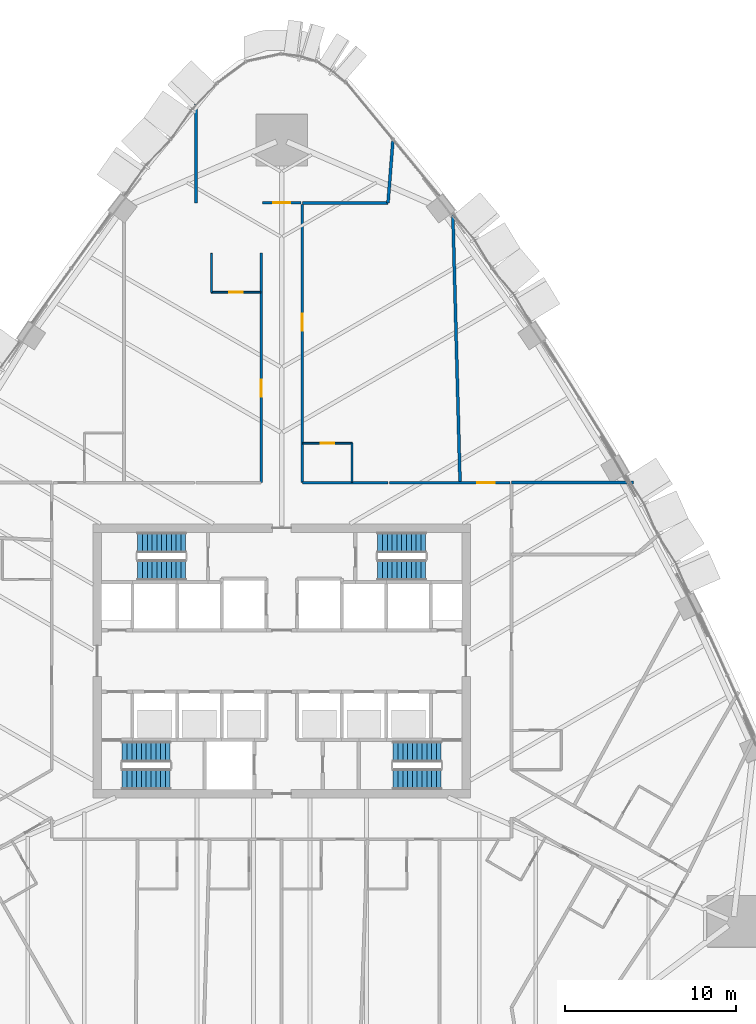
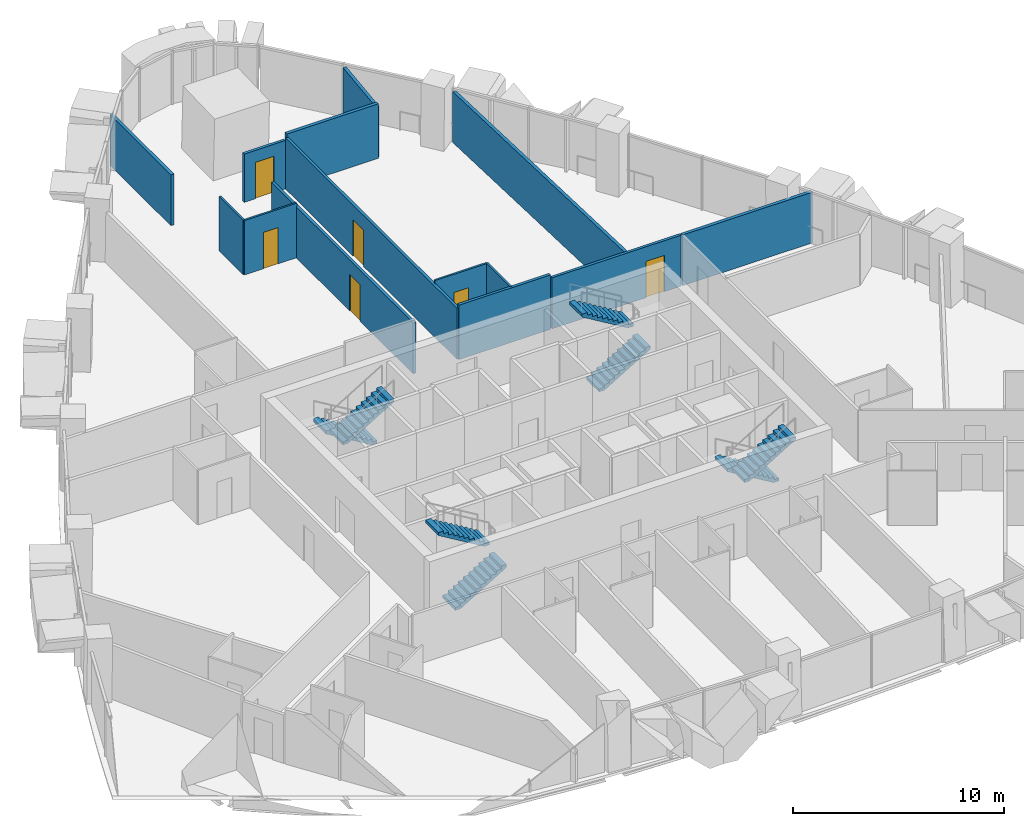
# One storey, part 15 of 19: 14 walls, 8 stair flights, 6 doors, 6 openings, 4 elements without a shape of their own.
"""IFC4 building model written with IfcOpenShell, lengths in metres."""

from ifc_helpers import new_model, si_unit, direction, frame, frame_2d, origin, place, context, subcontext, project, spatial, polyline, rectangle, outline, extrude, material, layer, layer_set, type_object, element, fill, aggregate, save


model = new_model("IFC4")

# Units and contexts
model_context = context("Model", 3, precision=1e-05, world=origin(), true_north=direction((0.0, 1.0)))
body_context = subcontext(model_context, "Body", "Model", "MODEL_VIEW")
ifc_project = project(units=[si_unit("LENGTHUNIT", "METRE"), si_unit("AREAUNIT", "SQUARE_METRE"), si_unit("VOLUMEUNIT", "CUBIC_METRE"), si_unit("PLANEANGLEUNIT", "RADIAN"), si_unit("MASSUNIT", "GRAM", prefix="KILO")], contexts=[model_context])

# Site, building, storey
site_placement = place(None, origin())
site = spatial("IfcSite", under=ifc_project, at=site_placement, CompositionType="ELEMENT")
building_placement = place(site_placement, origin())
building = spatial("IfcBuilding", under=site, at=building_placement, Name="Sierra Prisma Convention Tower", CompositionType="ELEMENT")
storey_placement = place(building_placement, frame((0.0, 0.0, 77.60009765625)))
storey = spatial("IfcBuildingStorey", under=building, at=storey_placement, Name="L15", CompositionType="ELEMENT", Elevation=77.60009765625)

# Wall, opening, door
ifc_material_1 = material(Name="Gypsum board partition", Category="gypsum")
ifc_layer_1 = layer(ifc_material_1, 0.10009765625)
ifc_layer_set_1 = layer_set([ifc_layer_1], Name="Bathroom partition 100")
wall_type_1 = type_object("IfcWallType", Name="Bathroom partition 100", PredefinedType="PARTITIONING", material=ifc_layer_set_1)
wall_1_placement = place(storey_placement, frame((-1.22998046875, 21.5, 0.0), z_axis=(0.0, 0.0, 1.0), x_axis=(-1.0, 0.0, 0.0)))
wall_1 = element("IfcWall", 1, at=wall_1_placement, inside=storey, type_object=wall_type_1, Name="Partition L15 bath 15", PredefinedType="PARTITIONING", context=body_context, shape_type="SweptSolid", body=[
    extrude(rectangle(XDim=2.8701171875, YDim=0.10009765625, at=frame_2d((1.43505859375, 0.0))), origin(), (0.0, 0.0, 1.0), 3.14990234375),
])
opening_1_placement = place(wall_1_placement, frame((1.034912109375, 0.0, 0.0)))
opening_1 = element("IfcOpeningElement", 2, at=opening_1_placement, cuts=wall_1, Name="Opening L15-D003", PredefinedType="OPENING", context=body_context, shape_type="SweptSolid", body=[
    extrude(rectangle(XDim=0.800048828125, YDim=2.10009765625, at=frame_2d((0.39990234375, 1.050048828125))), frame((0.0, 0.050048828125, 0.0), z_axis=(0.0, -1.0, 0.0), x_axis=(1.0, 0.0, 0.0)), (0.0, 0.0, 1.0), 0.10009765625),
])
ifc_material_2 = material(Name="Solid core timber door leaf", Category="wood")
door_type_1 = type_object("IfcDoorType", Name="Door 800x2100 plain", OperationType="SINGLE_SWING_LEFT", PredefinedType="DOOR", material=ifc_material_2)
door_1_placement = place(opening_1_placement, origin())
door_1 = element("IfcDoor", 3, at=door_1_placement, inside=storey, type_object=door_type_1, Name="Door L15 9", OperationType="SINGLE_SWING_LEFT", OverallHeight=2.10009765625, OverallWidth=0.800048828125, PredefinedType="DOOR", context=body_context, shape_type="SweptSolid", body=[
    extrude(rectangle(XDim=0.800048828125, YDim=2.10009765625, at=frame_2d((0.39990234375, 1.050048828125))), frame((0.0, 0.02490234375, 0.0), z_axis=(0.0, -1.0, 0.0), x_axis=(1.0, 0.0, 0.0)), (0.0, 0.0, 1.0), 0.050048828125),
])
fill(opening_1, door_1)

# Wall
wall_2_placement = place(storey_placement, frame((-4.10009765625, 21.5, 0.0), z_axis=(0.0, 0.0, 1.0), x_axis=(0.0, 1.0, 0.0)))
element("IfcWall", 4, at=wall_2_placement, inside=storey, type_object=wall_type_1, Name="Partition L15 bath 16", PredefinedType="PARTITIONING", context=body_context, shape_type="SweptSolid", body=[
    extrude(rectangle(XDim=2.27001953125, YDim=0.10009765625, at=frame_2d((1.135009765625, 0.0))), origin(), (0.0, 0.0, 1.0), 3.14990234375),
])

# Wall, opening, door
wall_3_placement = place(storey_placement, frame((1.22998046875, 12.699951171875, 0.0), z_axis=(0.0, 0.0, 1.0), x_axis=(1.0, 0.0, 0.0)))
wall_3 = element("IfcWall", 5, at=wall_3_placement, inside=storey, type_object=wall_type_1, Name="Partition L15 bath 19", PredefinedType="PARTITIONING", context=body_context, shape_type="SweptSolid", body=[
    extrude(rectangle(XDim=2.8701171875, YDim=0.10009765625, at=frame_2d((1.43505859375, 0.0))), origin(), (0.0, 0.0, 1.0), 3.14990234375),
])
opening_2_placement = place(wall_3_placement, frame((1.034912109375, 0.0, 0.0)))
opening_2 = element("IfcOpeningElement", 6, at=opening_2_placement, cuts=wall_3, Name="Opening L15-D002", PredefinedType="OPENING", context=body_context, shape_type="SweptSolid", body=[
    extrude(rectangle(XDim=0.800048828125, YDim=2.10009765625, at=frame_2d((0.39990234375, 1.050048828125))), frame((0.0, 0.050048828125, 0.0), z_axis=(0.0, -1.0, 0.0), x_axis=(1.0, 0.0, 0.0)), (0.0, 0.0, 1.0), 0.10009765625),
])
door_2_placement = place(opening_2_placement, origin())
door_2 = element("IfcDoor", 7, at=door_2_placement, inside=storey, type_object=door_type_1, Name="Door L15 6", OperationType="SINGLE_SWING_LEFT", OverallHeight=2.10009765625, OverallWidth=0.800048828125, PredefinedType="DOOR", context=body_context, shape_type="SweptSolid", body=[
    extrude(rectangle(XDim=0.800048828125, YDim=2.10009765625, at=frame_2d((0.39990234375, 1.050048828125))), frame((0.0, 0.02490234375, 0.0), z_axis=(0.0, -1.0, 0.0), x_axis=(1.0, 0.0, 0.0)), (0.0, 0.0, 1.0), 0.050048828125),
])
fill(opening_2, door_2)

# Wall
wall_4_placement = place(storey_placement, frame((4.10009765625, 12.699951171875, 0.0), z_axis=(0.0, 0.0, 1.0), x_axis=(0.0, -1.0, 0.0)))
element("IfcWall", 8, at=wall_4_placement, inside=storey, type_object=wall_type_1, Name="Partition L15 bath 20", PredefinedType="PARTITIONING", context=body_context, shape_type="SweptSolid", body=[
    extrude(rectangle(XDim=2.27001953125, YDim=0.10009765625, at=frame_2d((1.135009765625, 0.0))), origin(), (0.0, 0.0, 1.0), 3.14990234375),
])

# Wall, opening, door
ifc_material_3 = material(Name="Gypsum board partition", Category="gypsum")
ifc_layer_2 = layer(ifc_material_3, 0.14990234375)
ifc_layer_set_2 = layer_set([ifc_layer_2], Name="Corridor wall 150 gypsum EI 60")
wall_type_2 = type_object("IfcWallType", Name="Corridor wall 150 gypsum EI 60", PredefinedType="PARTITIONING", material=ifc_layer_set_2)
wall_5_placement = place(storey_placement, frame((-1.199951171875, 23.800048828125, 0.0), z_axis=(0.0, 0.0, 1.0), x_axis=(0.0, -1.0, 0.0)))
wall_5 = element("IfcWall", 9, at=wall_5_placement, inside=storey, type_object=wall_type_2, Name="Partition L15 corr 8", PredefinedType="PARTITIONING", context=body_context, shape_type="SweptSolid", body=[
    extrude(rectangle(XDim=13.400146484375, YDim=0.14990234375, at=frame_2d((6.7001953125, 0.0))), origin(), (0.0, 0.0, 1.0), 2.947021484375),
])
opening_3_placement = place(wall_5_placement, frame((7.39990234375, 0.0, 0.0)))
opening_3 = element("IfcOpeningElement", 10, at=opening_3_placement, cuts=wall_5, Name="Opening L15-D041", PredefinedType="OPENING", context=body_context, shape_type="SweptSolid", body=[
    extrude(rectangle(XDim=1.0, YDim=2.10009765625, at=frame_2d((0.5, 1.050048828125))), frame((0.0, 0.074951171875, 0.0), z_axis=(0.0, -1.0, 0.0), x_axis=(1.0, 0.0, 0.0)), (0.0, 0.0, 1.0), 0.14990234375),
])
ifc_material_4 = material(Name="Steel fire door leaf", Category="steel")
door_type_2 = type_object("IfcDoorType", Name="Door 1000x2100 FD30S", OperationType="SINGLE_SWING_LEFT", PredefinedType="DOOR", material=ifc_material_4)
door_3_placement = place(opening_3_placement, origin())
door_3 = element("IfcDoor", 11, at=door_3_placement, inside=storey, type_object=door_type_2, Name="Door L15 8", OperationType="SINGLE_SWING_LEFT", OverallHeight=2.10009765625, OverallWidth=1.0, PredefinedType="DOOR", context=body_context, shape_type="SweptSolid", body=[
    extrude(rectangle(XDim=1.0, YDim=2.10009765625, at=frame_2d((0.5, 1.050048828125))), frame((0.0, 0.02490234375, 0.0), z_axis=(0.0, -1.0, 0.0), x_axis=(1.0, 0.0, 0.0)), (0.0, 0.0, 1.0), 0.050048828125),
])
fill(opening_3, door_3)

wall_6_placement = place(storey_placement, frame((1.1201171875, 26.7109375, 0.0), z_axis=(0.0, 0.0, 1.0), x_axis=(-1.0, 0.0, 0.0)))
wall_6 = element("IfcWall", 12, at=wall_6_placement, inside=storey, type_object=wall_type_2, Name="Partition L15 corr 10", PredefinedType="PARTITIONING", context=body_context, shape_type="SweptSolid", body=[
    extrude(rectangle(XDim=2.240234375, YDim=0.14990234375, at=frame_2d((1.1201171875, 0.0))), origin(), (0.0, 0.0, 1.0), 2.796875),
])
opening_4_placement = place(wall_6_placement, frame((0.6201171875, 0.0, 0.0)))
opening_4 = element("IfcOpeningElement", 13, at=opening_4_placement, cuts=wall_6, Name="Opening L15-D040", PredefinedType="OPENING", context=body_context, shape_type="SweptSolid", body=[
    extrude(rectangle(XDim=1.0, YDim=2.10009765625, at=frame_2d((0.5, 1.050048828125))), frame((0.0, 0.074951171875, 0.0), z_axis=(0.0, -1.0, 0.0), x_axis=(1.0, 0.0, 0.0)), (0.0, 0.0, 1.0), 0.14990234375),
])
door_4_placement = place(opening_4_placement, origin())
door_4 = element("IfcDoor", 14, at=door_4_placement, inside=storey, type_object=door_type_2, Name="Door L15 7", OperationType="SINGLE_SWING_LEFT", OverallHeight=2.10009765625, OverallWidth=1.0, PredefinedType="DOOR", context=body_context, shape_type="SweptSolid", body=[
    extrude(rectangle(XDim=1.0, YDim=2.10009765625, at=frame_2d((0.5, 1.050048828125))), frame((0.0, 0.02490234375, 0.0), z_axis=(0.0, -1.0, 0.0), x_axis=(1.0, 0.0, 0.0)), (0.0, 0.0, 1.0), 0.050048828125),
])
fill(opening_4, door_4)

# Wall
wall_7_placement = place(storey_placement, frame((6.199951171875, 10.39990234375, 0.0), z_axis=(0.0, 0.0, 1.0), x_axis=(-1.0, 0.0, 0.0)))
element("IfcWall", 15, at=wall_7_placement, inside=storey, type_object=wall_type_2, Name="Partition L15 corr 11", PredefinedType="PARTITIONING", context=body_context, shape_type="SweptSolid", body=[
    extrude(rectangle(XDim=5.0, YDim=0.14990234375, at=frame_2d((2.5, 0.0))), origin(), (0.0, 0.0, 1.0), 3.14990234375),
])

# Wall, opening, door
wall_8_placement = place(storey_placement, frame((1.199951171875, 10.39990234375, 0.0), z_axis=(0.0, 0.0, 1.0), x_axis=(0.0, 1.0, 0.0)))
wall_8 = element("IfcWall", 16, at=wall_8_placement, inside=storey, type_object=wall_type_2, Name="Partition L15 corr 12", PredefinedType="PARTITIONING", context=body_context, shape_type="SweptSolid", body=[
    extrude(rectangle(XDim=16.23095703125, YDim=0.14990234375, at=frame_2d((8.115478515625, 0.0))), origin(), (0.0, 0.0, 1.0), 2.947021484375),
])
opening_5_placement = place(wall_8_placement, frame((8.85546875, 0.0, 0.0)))
opening_5 = element("IfcOpeningElement", 17, at=opening_5_placement, cuts=wall_8, Name="Opening L15-D039", PredefinedType="OPENING", context=body_context, shape_type="SweptSolid", body=[
    extrude(rectangle(XDim=1.0, YDim=2.10009765625, at=frame_2d((0.5, 1.050048828125))), frame((0.0, 0.074951171875, 0.0), z_axis=(0.0, -1.0, 0.0), x_axis=(1.0, 0.0, 0.0)), (0.0, 0.0, 1.0), 0.14990234375),
])
door_5_placement = place(opening_5_placement, origin())
door_5 = element("IfcDoor", 18, at=door_5_placement, inside=storey, type_object=door_type_2, Name="Door L15 5", OperationType="SINGLE_SWING_LEFT", OverallHeight=2.10009765625, OverallWidth=1.0, PredefinedType="DOOR", context=body_context, shape_type="SweptSolid", body=[
    extrude(rectangle(XDim=1.0, YDim=2.10009765625, at=frame_2d((0.5, 1.050048828125))), frame((0.0, 0.02490234375, 0.0), z_axis=(0.0, -1.0, 0.0), x_axis=(1.0, 0.0, 0.0)), (0.0, 0.0, 1.0), 0.050048828125),
])
fill(opening_5, door_5)

wall_9_placement = place(storey_placement, frame((13.320068359375, 10.39990234375, 0.0), z_axis=(0.0, 0.0, 1.0), x_axis=(-1.0, 0.0, 0.0)))
wall_9 = element("IfcWall", 19, at=wall_9_placement, inside=storey, type_object=wall_type_2, Name="Partition L15 corr 13", PredefinedType="PARTITIONING", context=body_context, shape_type="SweptSolid", body=[
    extrude(rectangle(XDim=7.0400390625, YDim=0.14990234375, at=frame_2d((3.52001953125, 0.0))), origin(), (0.0, 0.0, 1.0), 2.947021484375),
])
opening_6_placement = place(wall_9_placement, frame((0.909912109375, 0.0, 0.0)))
opening_6 = element("IfcOpeningElement", 20, at=opening_6_placement, cuts=wall_9, Name="Opening L15-D038", PredefinedType="OPENING", context=body_context, shape_type="SweptSolid", body=[
    extrude(rectangle(XDim=1.0, YDim=2.10009765625, at=frame_2d((0.5, 1.050048828125))), frame((0.0, 0.074951171875, 0.0), z_axis=(0.0, -1.0, 0.0), x_axis=(1.0, 0.0, 0.0)), (0.0, 0.0, 1.0), 0.14990234375),
])
door_6_placement = place(opening_6_placement, origin())
door_6 = element("IfcDoor", 21, at=door_6_placement, inside=storey, type_object=door_type_2, Name="Door L15 4", OperationType="SINGLE_SWING_LEFT", OverallHeight=2.10009765625, OverallWidth=1.0, PredefinedType="DOOR", context=body_context, shape_type="SweptSolid", body=[
    extrude(rectangle(XDim=1.0, YDim=2.10009765625, at=frame_2d((0.5, 1.050048828125))), frame((0.0, 0.02490234375, 0.0), z_axis=(0.0, -1.0, 0.0), x_axis=(1.0, 0.0, 0.0)), (0.0, 0.0, 1.0), 0.050048828125),
])
fill(opening_6, door_6)

# Walls
ifc_material_5 = material(Name="Acoustic gypsum board partition", Category="gypsum")
ifc_layer_3 = layer(ifc_material_5, 0.175048828125)
ifc_layer_set_3 = layer_set([ifc_layer_3], Name="Guest room party wall 175 acoustic EI 60")
wall_type_3 = type_object("IfcWallType", Name="Guest room party wall 175 acoustic EI 60", PredefinedType="PARTITIONING", material=ifc_layer_set_3)
wall_10_placement = place(storey_placement, frame((-5.0, 32.48828125, 0.0), z_axis=(0.0, 0.0, 1.0), x_axis=(0.0, -1.0, 0.0)))
element("IfcWall", 22, at=wall_10_placement, inside=storey, type_object=wall_type_3, Name="Partition L15 hparty 10", PredefinedType="PARTITIONING", context=body_context, shape_type="SweptSolid", body=[
    extrude(rectangle(XDim=5.77734375, YDim=0.175048828125, at=frame_2d((2.888671875, 0.0))), origin(), (0.0, 0.0, 1.0), 2.933837890625),
])
wall_11_placement = place(storey_placement, frame((1.199951171875, 26.7109375, 0.0), z_axis=(0.0, 0.0, 1.0), x_axis=(1.0, 0.0, 0.0)))
element("IfcWall", 23, at=wall_11_placement, inside=storey, type_object=wall_type_3, Name="Partition L15 hparty 13", PredefinedType="PARTITIONING", context=body_context, shape_type="SweptSolid", body=[
    extrude(rectangle(XDim=5.0, YDim=0.175048828125, at=frame_2d((2.5, 0.0))), origin(), (0.0, 0.0, 1.0), 3.14990234375),
])
wall_12_placement = place(storey_placement, frame((6.199951171875, 26.7109375, 0.0), z_axis=(0.0, 0.0, 1.0), x_axis=(0.078241280628, 0.996934452211, 0.0)))
element("IfcWall", 24, at=wall_12_placement, inside=storey, type_object=wall_type_3, Name="Partition L15 hparty 14", PredefinedType="PARTITIONING", context=body_context, shape_type="SweptSolid", body=[
    extrude(rectangle(XDim=3.61328125, YDim=0.175048828125, at=frame_2d((1.806640625, 0.0))), origin(), (0.0, 0.0, 1.0), 2.933837890625),
])
wall_13_placement = place(storey_placement, frame((9.982421875, 25.99560546875, 0.0), z_axis=(0.0, 0.0, 1.0), x_axis=(0.026759355923, -0.999641904319, 0.0)))
element("IfcWall", 25, at=wall_13_placement, inside=storey, type_object=wall_type_3, Name="Partition L15 hparty 17", PredefinedType="PARTITIONING", context=body_context, shape_type="SweptSolid", body=[
    extrude(rectangle(XDim=15.601318359375, YDim=0.175048828125, at=frame_2d((7.80078125, 0.0))), origin(), (0.0, 0.0, 1.0), 2.933837890625),
])
wall_14_placement = place(storey_placement, frame((13.39990234375, 10.39990234375, 0.0), z_axis=(0.0, 0.0, 1.0), x_axis=(1.0, 0.0, 0.0)))
element("IfcWall", 26, at=wall_14_placement, inside=storey, type_object=wall_type_3, Name="Partition L15 hparty 22", PredefinedType="PARTITIONING", context=body_context, shape_type="SweptSolid", body=[
    extrude(rectangle(XDim=7.107177734375, YDim=0.175048828125, at=frame_2d((3.5537109375, 0.0))), origin(), (0.0, 0.0, 1.0), 2.933837890625),
])

# Stair, stair flights
ifc_material_6 = material(Name="Concrete C30/37", Category="concrete")
stair_type = type_object("IfcStairType", Name="Stair dog-leg 1200 RC", PredefinedType="HALF_TURN_STAIR", material=ifc_material_6)
stair_1_placement = place(storey_placement, origin())
stair_1 = element("IfcStair", 27, at=stair_1_placement, inside=storey, type_object=stair_type, Name="L15 S1", PredefinedType="HALF_TURN_STAIR")
ifc_material_7 = material(Name="Concrete C30/37", Category="concrete")
stair_flight_type = type_object("IfcStairFlightType", Name="Stair flight RC 1200", PredefinedType="STRAIGHT", material=ifc_material_7)
stair_flight_1_placement = place(storey_placement, frame((-9.300048828125, -6.89990234375, 0.0), z_axis=(0.0, 0.0, 1.0), x_axis=(1.0, 0.0, 0.0)))
stair_flight_1 = element("IfcStairFlight", 28, at=stair_flight_1_placement, type_object=stair_flight_type, Name="S1 flight 1", NumberOfRisers=11, NumberOfTreads=10, PredefinedType="STRAIGHT", RiserHeight=0.168181818, TreadLength=0.28, context=body_context, shape_type="SweptSolid", body=[
    extrude(outline(polyline([(0.0, 0.0), (0.0, 0.168212890625), (0.280029296875, 0.168212890625), (0.280029296875, 0.33642578125), (0.56005859375, 0.33642578125), (0.56005859375, 0.504638671875), (0.840087890625, 0.504638671875), (0.840087890625, 0.672607421875), (1.1201171875, 0.672607421875), (1.1201171875, 0.8408203125), (1.39990234375, 0.8408203125), (1.39990234375, 1.009033203125), (1.679931640625, 1.009033203125), (1.679931640625, 1.17724609375), (1.9599609375, 1.17724609375), (1.9599609375, 1.345458984375), (2.239990234375, 1.345458984375), (2.239990234375, 1.513671875), (2.52001953125, 1.513671875), (2.52001953125, 1.681884765625), (2.800048828125, 1.681884765625), (2.800048828125, 1.85009765625), (2.800048828125, 1.5068359375), (0.291015625, 0.0), (0.0, 0.0)])), frame((0.0, 0.60009765625, 0.0), z_axis=(0.0, -1.0, 0.0), x_axis=(1.0, 0.0, 0.0)), (0.0, 0.0, 1.0), 1.199951171875),
])
stair_flight_2_placement = place(storey_placement, frame((-6.5, -5.300048828125, 1.849853515625), z_axis=(0.0, 0.0, 1.0), x_axis=(-1.0, 0.0, 0.0)))
stair_flight_2 = element("IfcStairFlight", 29, at=stair_flight_2_placement, type_object=stair_flight_type, Name="S1 flight 2", NumberOfRisers=11, NumberOfTreads=10, PredefinedType="STRAIGHT", RiserHeight=0.168181818, TreadLength=0.28, context=body_context, shape_type="SweptSolid", body=[
    extrude(outline(polyline([(0.0, 0.0), (0.0, 0.168212890625), (0.280029296875, 0.168212890625), (0.280029296875, 0.33642578125), (0.56005859375, 0.33642578125), (0.56005859375, 0.504638671875), (0.840087890625, 0.504638671875), (0.840087890625, 0.672607421875), (1.1201171875, 0.672607421875), (1.1201171875, 0.8408203125), (1.39990234375, 0.8408203125), (1.39990234375, 1.009033203125), (1.679931640625, 1.009033203125), (1.679931640625, 1.17724609375), (1.9599609375, 1.17724609375), (1.9599609375, 1.345458984375), (2.239990234375, 1.345458984375), (2.239990234375, 1.513671875), (2.52001953125, 1.513671875), (2.52001953125, 1.681884765625), (2.800048828125, 1.681884765625), (2.800048828125, 1.85009765625), (2.800048828125, 1.5068359375), (0.291015625, 0.0), (0.0, 0.0)])), frame((0.0, 0.60009765625, 0.0), z_axis=(0.0, -1.0, 0.0), x_axis=(1.0, 0.0, 0.0)), (0.0, 0.0, 1.0), 1.199951171875),
])
aggregate(stair_1, [stair_flight_1, stair_flight_2])

stair_2_placement = place(storey_placement, origin())
stair_2 = element("IfcStair", 30, at=stair_2_placement, inside=storey, type_object=stair_type, Name="L15 S2", PredefinedType="HALF_TURN_STAIR")
stair_flight_3_placement = place(storey_placement, frame((9.300048828125, -5.300048828125, 0.0), z_axis=(0.0, 0.0, 1.0), x_axis=(-1.0, 0.0, 0.0)))
stair_flight_3 = element("IfcStairFlight", 31, at=stair_flight_3_placement, type_object=stair_flight_type, Name="S2 flight 1", NumberOfRisers=11, NumberOfTreads=10, PredefinedType="STRAIGHT", RiserHeight=0.168181818, TreadLength=0.28, context=body_context, shape_type="SweptSolid", body=[
    extrude(outline(polyline([(0.0, 0.0), (0.0, 0.168212890625), (0.280029296875, 0.168212890625), (0.280029296875, 0.33642578125), (0.56005859375, 0.33642578125), (0.56005859375, 0.504638671875), (0.840087890625, 0.504638671875), (0.840087890625, 0.672607421875), (1.1201171875, 0.672607421875), (1.1201171875, 0.8408203125), (1.39990234375, 0.8408203125), (1.39990234375, 1.009033203125), (1.679931640625, 1.009033203125), (1.679931640625, 1.17724609375), (1.9599609375, 1.17724609375), (1.9599609375, 1.345458984375), (2.239990234375, 1.345458984375), (2.239990234375, 1.513671875), (2.52001953125, 1.513671875), (2.52001953125, 1.681884765625), (2.800048828125, 1.681884765625), (2.800048828125, 1.85009765625), (2.800048828125, 1.5068359375), (0.291015625, 0.0), (0.0, 0.0)])), frame((0.0, 0.60009765625, 0.0), z_axis=(0.0, -1.0, 0.0), x_axis=(1.0, 0.0, 0.0)), (0.0, 0.0, 1.0), 1.199951171875),
])
stair_flight_4_placement = place(storey_placement, frame((6.5, -6.89990234375, 1.849853515625), z_axis=(0.0, 0.0, 1.0), x_axis=(1.0, 0.0, 0.0)))
stair_flight_4 = element("IfcStairFlight", 32, at=stair_flight_4_placement, type_object=stair_flight_type, Name="S2 flight 2", NumberOfRisers=11, NumberOfTreads=10, PredefinedType="STRAIGHT", RiserHeight=0.168181818, TreadLength=0.28, context=body_context, shape_type="SweptSolid", body=[
    extrude(outline(polyline([(0.0, 0.0), (0.0, 0.168212890625), (0.280029296875, 0.168212890625), (0.280029296875, 0.33642578125), (0.56005859375, 0.33642578125), (0.56005859375, 0.504638671875), (0.840087890625, 0.504638671875), (0.840087890625, 0.672607421875), (1.1201171875, 0.672607421875), (1.1201171875, 0.8408203125), (1.39990234375, 0.8408203125), (1.39990234375, 1.009033203125), (1.679931640625, 1.009033203125), (1.679931640625, 1.17724609375), (1.9599609375, 1.17724609375), (1.9599609375, 1.345458984375), (2.239990234375, 1.345458984375), (2.239990234375, 1.513671875), (2.52001953125, 1.513671875), (2.52001953125, 1.681884765625), (2.800048828125, 1.681884765625), (2.800048828125, 1.85009765625), (2.800048828125, 1.5068359375), (0.291015625, 0.0), (0.0, 0.0)])), frame((0.0, 0.60009765625, 0.0), z_axis=(0.0, -1.0, 0.0), x_axis=(1.0, 0.0, 0.0)), (0.0, 0.0, 1.0), 1.199951171875),
])
aggregate(stair_2, [stair_flight_3, stair_flight_4])

stair_3_placement = place(storey_placement, origin())
stair_3 = element("IfcStair", 33, at=stair_3_placement, inside=storey, type_object=stair_type, Name="L15 S3", PredefinedType="HALF_TURN_STAIR")
stair_flight_5_placement = place(storey_placement, frame((-5.60009765625, 6.89990234375, 0.0), z_axis=(0.0, 0.0, 1.0), x_axis=(-1.0, 0.0, 0.0)))
stair_flight_5 = element("IfcStairFlight", 34, at=stair_flight_5_placement, type_object=stair_flight_type, Name="S3 flight 1", NumberOfRisers=11, NumberOfTreads=10, PredefinedType="STRAIGHT", RiserHeight=0.168181818, TreadLength=0.28, context=body_context, shape_type="SweptSolid", body=[
    extrude(outline(polyline([(0.0, 0.0), (0.0, 0.168212890625), (0.280029296875, 0.168212890625), (0.280029296875, 0.33642578125), (0.56005859375, 0.33642578125), (0.56005859375, 0.504638671875), (0.840087890625, 0.504638671875), (0.840087890625, 0.672607421875), (1.1201171875, 0.672607421875), (1.1201171875, 0.8408203125), (1.39990234375, 0.8408203125), (1.39990234375, 1.009033203125), (1.679931640625, 1.009033203125), (1.679931640625, 1.17724609375), (1.9599609375, 1.17724609375), (1.9599609375, 1.345458984375), (2.239990234375, 1.345458984375), (2.239990234375, 1.513671875), (2.52001953125, 1.513671875), (2.52001953125, 1.681884765625), (2.800048828125, 1.681884765625), (2.800048828125, 1.85009765625), (2.800048828125, 1.5068359375), (0.291015625, 0.0), (0.0, 0.0)])), frame((0.0, 0.60009765625, 0.0), z_axis=(0.0, -1.0, 0.0), x_axis=(1.0, 0.0, 0.0)), (0.0, 0.0, 1.0), 1.199951171875),
])
stair_flight_6_placement = place(storey_placement, frame((-8.39990234375, 5.300048828125, 1.849853515625), z_axis=(0.0, 0.0, 1.0), x_axis=(1.0, 0.0, 0.0)))
stair_flight_6 = element("IfcStairFlight", 35, at=stair_flight_6_placement, type_object=stair_flight_type, Name="S3 flight 2", NumberOfRisers=11, NumberOfTreads=10, PredefinedType="STRAIGHT", RiserHeight=0.168181818, TreadLength=0.28, context=body_context, shape_type="SweptSolid", body=[
    extrude(outline(polyline([(0.0, 0.0), (0.0, 0.168212890625), (0.280029296875, 0.168212890625), (0.280029296875, 0.33642578125), (0.56005859375, 0.33642578125), (0.56005859375, 0.504638671875), (0.840087890625, 0.504638671875), (0.840087890625, 0.672607421875), (1.1201171875, 0.672607421875), (1.1201171875, 0.8408203125), (1.39990234375, 0.8408203125), (1.39990234375, 1.009033203125), (1.679931640625, 1.009033203125), (1.679931640625, 1.17724609375), (1.9599609375, 1.17724609375), (1.9599609375, 1.345458984375), (2.239990234375, 1.345458984375), (2.239990234375, 1.513671875), (2.52001953125, 1.513671875), (2.52001953125, 1.681884765625), (2.800048828125, 1.681884765625), (2.800048828125, 1.85009765625), (2.800048828125, 1.5068359375), (0.291015625, 0.0), (0.0, 0.0)])), frame((0.0, 0.60009765625, 0.0), z_axis=(0.0, -1.0, 0.0), x_axis=(1.0, 0.0, 0.0)), (0.0, 0.0, 1.0), 1.199951171875),
])
aggregate(stair_3, [stair_flight_5, stair_flight_6])

stair_4_placement = place(storey_placement, origin())
stair_4 = element("IfcStair", 36, at=stair_4_placement, inside=storey, type_object=stair_type, Name="L15 S4", PredefinedType="HALF_TURN_STAIR")
stair_flight_7_placement = place(storey_placement, frame((5.60009765625, 5.300048828125, 0.0), z_axis=(0.0, 0.0, 1.0), x_axis=(1.0, 0.0, 0.0)))
stair_flight_7 = element("IfcStairFlight", 37, at=stair_flight_7_placement, type_object=stair_flight_type, Name="S4 flight 1", NumberOfRisers=11, NumberOfTreads=10, PredefinedType="STRAIGHT", RiserHeight=0.168181818, TreadLength=0.28, context=body_context, shape_type="SweptSolid", body=[
    extrude(outline(polyline([(0.0, 0.0), (0.0, 0.168212890625), (0.280029296875, 0.168212890625), (0.280029296875, 0.33642578125), (0.56005859375, 0.33642578125), (0.56005859375, 0.504638671875), (0.840087890625, 0.504638671875), (0.840087890625, 0.672607421875), (1.1201171875, 0.672607421875), (1.1201171875, 0.8408203125), (1.39990234375, 0.8408203125), (1.39990234375, 1.009033203125), (1.679931640625, 1.009033203125), (1.679931640625, 1.17724609375), (1.9599609375, 1.17724609375), (1.9599609375, 1.345458984375), (2.239990234375, 1.345458984375), (2.239990234375, 1.513671875), (2.52001953125, 1.513671875), (2.52001953125, 1.681884765625), (2.800048828125, 1.681884765625), (2.800048828125, 1.85009765625), (2.800048828125, 1.5068359375), (0.291015625, 0.0), (0.0, 0.0)])), frame((0.0, 0.60009765625, 0.0), z_axis=(0.0, -1.0, 0.0), x_axis=(1.0, 0.0, 0.0)), (0.0, 0.0, 1.0), 1.199951171875),
])
stair_flight_8_placement = place(storey_placement, frame((8.39990234375, 6.89990234375, 1.849853515625), z_axis=(0.0, 0.0, 1.0), x_axis=(-1.0, 0.0, 0.0)))
stair_flight_8 = element("IfcStairFlight", 38, at=stair_flight_8_placement, type_object=stair_flight_type, Name="S4 flight 2", NumberOfRisers=11, NumberOfTreads=10, PredefinedType="STRAIGHT", RiserHeight=0.168181818, TreadLength=0.28, context=body_context, shape_type="SweptSolid", body=[
    extrude(outline(polyline([(0.0, 0.0), (0.0, 0.168212890625), (0.280029296875, 0.168212890625), (0.280029296875, 0.33642578125), (0.56005859375, 0.33642578125), (0.56005859375, 0.504638671875), (0.840087890625, 0.504638671875), (0.840087890625, 0.672607421875), (1.1201171875, 0.672607421875), (1.1201171875, 0.8408203125), (1.39990234375, 0.8408203125), (1.39990234375, 1.009033203125), (1.679931640625, 1.009033203125), (1.679931640625, 1.17724609375), (1.9599609375, 1.17724609375), (1.9599609375, 1.345458984375), (2.239990234375, 1.345458984375), (2.239990234375, 1.513671875), (2.52001953125, 1.513671875), (2.52001953125, 1.681884765625), (2.800048828125, 1.681884765625), (2.800048828125, 1.85009765625), (2.800048828125, 1.5068359375), (0.291015625, 0.0), (0.0, 0.0)])), frame((0.0, 0.60009765625, 0.0), z_axis=(0.0, -1.0, 0.0), x_axis=(1.0, 0.0, 0.0)), (0.0, 0.0, 1.0), 1.199951171875),
])
aggregate(stair_4, [stair_flight_7, stair_flight_8])

save(model, "model.ifc")
